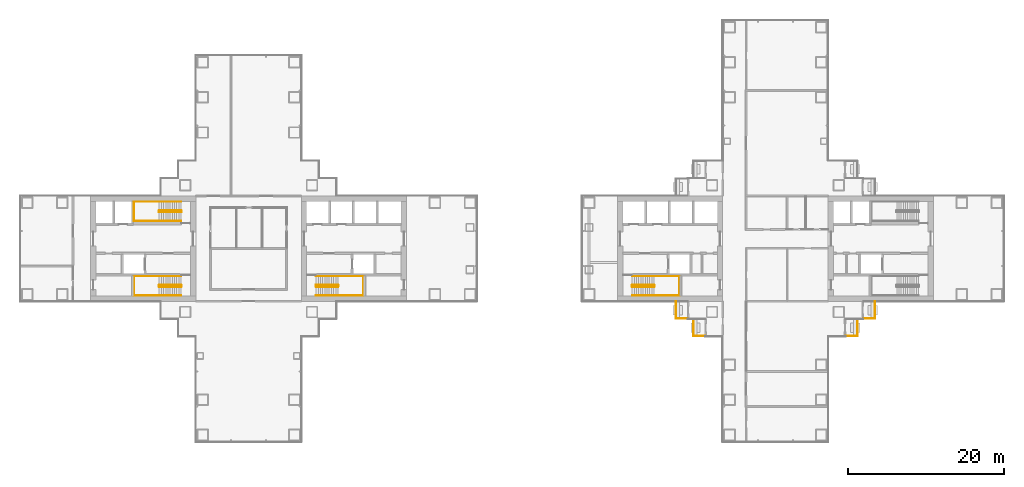
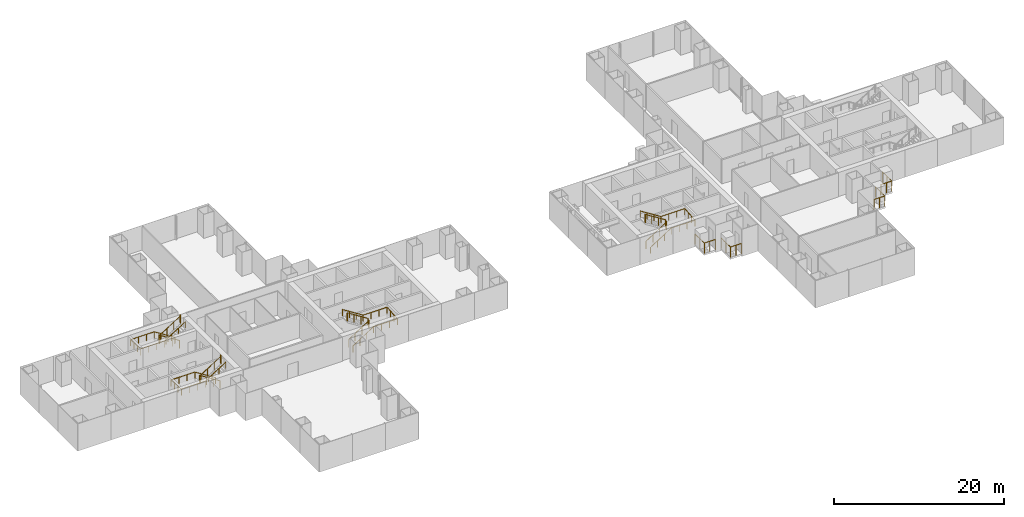
# One storey, part 20 of 22: 12 railings.
"""IFC4 building model written with IfcOpenShell, lengths in metres."""

import ifcopenshell
import ifcopenshell.guid

model = None  # the IFC model being written
_history = None  # IfcOwnerHistory: only IFC2X3 demands one
_inside = {}  # id of a spatial element -> (the spatial element, [elements in it])
_under = {}  # id of a project, library or spatial element -> (it, [spatial elements below it])
_declared = {}  # id of a project -> (the project, [libraries it declares])
_typed = {}  # id of a type object -> (the type object, [elements of that type])
_made_of = {}  # id of a material, layer set ... -> (it, [elements and type objects made of it])


def new_model(schema):
    """Start an empty IFC model of exactly this schema.

    Asked for "IFC4X3", IfcOpenShell would pick the latest addendum, in which some entities
    have other attributes; the version numbers below select the first issue.
    IFC2X3 requires an IfcOwnerHistory on every rooted entity: one is made here for all.
    """
    global model, _history
    if schema == "IFC4X3":
        model = ifcopenshell.file(schema_version=(4, 3, 0, 0))
    else:
        model = ifcopenshell.file(schema=schema)
    _inside.clear()
    _under.clear()
    _declared.clear()
    _typed.clear()
    _made_of.clear()
    _history = None
    if model.schema == "IFC2X3":
        org = make("IfcOrganization", Name="unknown")
        user = make(
            "IfcPersonAndOrganization",
            ThePerson=make("IfcPerson", FamilyName="unknown"),
            TheOrganization=org,
        )
        app = make(
            "IfcApplication",
            ApplicationDeveloper=org,
            Version="unknown",
            ApplicationFullName="unknown",
            ApplicationIdentifier="unknown",
        )
        _history = make(
            "IfcOwnerHistory",
            OwningUser=user,
            OwningApplication=app,
            ChangeAction="ADDED",
            CreationDate=0,
        )
    return model


def make(cls, **values):
    """One entity of the class cls with the attributes given. An attribute that is None is left unset."""
    return model.create_entity(
        cls, **{name: value for name, value in values.items() if value is not None}
    )


def rooted(cls, **values):
    """An entity with a GlobalId (a new one), such as an element, a storey or a relation."""
    return make(cls, GlobalId=ifcopenshell.guid.new(), OwnerHistory=_history, **values)


def si_unit(unit_type, name, prefix=None):
    """IfcSIUnit, for example si_unit("LENGTHUNIT", "METRE", prefix="MILLI")."""
    return make("IfcSIUnit", UnitType=unit_type, Prefix=prefix, Name=name)


def assignment(units):
    """IfcUnitAssignment: the units of a project."""
    return None if units is None else make("IfcUnitAssignment", Units=units)


def point(xyz):
    """IfcCartesianPoint."""
    return None if xyz is None else make("IfcCartesianPoint", Coordinates=xyz)


def direction(xyz):
    """IfcDirection."""
    return None if xyz is None else make("IfcDirection", DirectionRatios=xyz)


def frame(location, z_axis=None, x_axis=None):
    """IfcAxis2Placement3D, a coordinate frame: its origin and axes. An axis left out is left unset."""
    return make(
        "IfcAxis2Placement3D",
        Location=point(location),
        Axis=direction(z_axis),
        RefDirection=direction(x_axis),
    )


def frame_2d(location, x_axis=None):
    """IfcAxis2Placement2D, a coordinate frame in the plane: its origin and x axis."""
    return make(
        "IfcAxis2Placement2D", Location=point(location), RefDirection=direction(x_axis)
    )


def origin():
    """The frame at (0, 0, 0) with its axes left unset."""
    return frame((0.0, 0.0, 0.0))


def origin_2d():
    """The frame at (0, 0) in the plane with its x axis left unset."""
    return frame_2d((0.0, 0.0))


def place(relative_to, where):
    """IfcLocalPlacement: puts the frame where relative to a parent placement (None: the world)."""
    return make(
        "IfcLocalPlacement", PlacementRelTo=relative_to, RelativePlacement=where
    )


def context(
    kind, dimensions, precision=None, world=None, true_north=None, identifier=None
):
    """IfcGeometricRepresentationContext, for example the 3D "Model" context."""
    return make(
        "IfcGeometricRepresentationContext",
        ContextIdentifier=identifier,
        ContextType=kind,
        CoordinateSpaceDimension=dimensions,
        Precision=precision,
        WorldCoordinateSystem=world,
        TrueNorth=true_north,
    )


def subcontext(parent, identifier, kind, view, scale=None):
    """IfcGeometricRepresentationSubContext, for example "Body" below "Model"."""
    return make(
        "IfcGeometricRepresentationSubContext",
        ContextIdentifier=identifier,
        ContextType=kind,
        ParentContext=parent,
        TargetScale=scale,
        TargetView=view,
    )


def project(units=None, contexts=None):
    """IfcProject with its units and contexts."""
    return rooted(
        "IfcProject",
        Name="project",
        RepresentationContexts=contexts,
        UnitsInContext=assignment(units),
    )


def spatial(cls, under=None, at=None, **own):
    """A site, building, storey or space (cls), placed at a placement, below another one or the project."""
    s = rooted(cls, ObjectPlacement=at, **own)
    if under is not None:
        _under.setdefault(under.id(), (under, []))[1].append(s)
    return s


def profile(cls, at=None, kind="AREA", **sizes):
    """A parametric profile (cls). Its sizes go by their IFC names, for example OverallWidth=200.0."""
    return make(cls, ProfileType=kind, Position=at, **sizes)


def circle(**sizes):
    """IfcCircleProfileDef."""
    return profile("IfcCircleProfileDef", **sizes)


def extrude(swept, where, along, depth):
    """IfcExtrudedAreaSolid: the profile swept, set in the frame where, extruded along a direction by depth."""
    return make(
        "IfcExtrudedAreaSolid",
        SweptArea=swept,
        Position=where,
        ExtrudedDirection=direction(along),
        Depth=depth,
    )


def shape(context_of_items, identifier, shape_type, items):
    """IfcShapeRepresentation: the items that make up one representation, for example the "Body"."""
    return make(
        "IfcShapeRepresentation",
        ContextOfItems=context_of_items,
        RepresentationIdentifier=identifier,
        RepresentationType=shape_type,
        Items=items,
    )


def material(Name=None, Category=None):
    """IfcMaterial."""
    return make("IfcMaterial", Name=Name, Category=Category)


def made_of(thing, what):
    """Note that an element or type object is made of a material, layer set ...; save() writes the relation."""
    if what is not None:
        _made_of.setdefault(what.id(), (what, []))[1].append(thing)
    return thing


def type_object(cls, material=None, **own):
    """A type object (cls), such as IfcWallType, which elements share."""
    return made_of(rooted(cls, **own), material)


def element(
    cls,
    number,
    at=None,
    inside=None,
    cuts=None,
    type_object=None,
    material=None,
    context=None,
    identifier="Body",
    shape_type=None,
    held_by="IfcProductDefinitionShape",
    body=None,
    shapes=None,
    **own,
):
    """One element of the class cls, such as IfcWall. Its Tag is "e" and its number.

    at: its placement. inside: the storey or other place that contains it. cuts: it is an
    opening in that element (IfcRelVoidsElement). A single representation is given by context,
    identifier, shape_type and body (its items); several are given by shapes. held_by: the class
    of the entity that holds the representations. save() writes the other relations.
    """
    e = rooted(cls, Tag="e%d" % number, ObjectPlacement=at, **own)
    if body is not None:
        shapes = [shape(context, identifier, shape_type, body)]
    if shapes is not None:
        e.Representation = make(held_by, Representations=shapes)
    if inside is not None:
        _inside.setdefault(inside.id(), (inside, []))[1].append(e)
    if cuts is not None:
        rooted(
            "IfcRelVoidsElement", RelatingBuildingElement=cuts, RelatedOpeningElement=e
        )
    if type_object is not None:
        _typed.setdefault(type_object.id(), (type_object, []))[1].append(e)
    return made_of(e, material)


def aggregate(whole, parts):
    """IfcRelAggregates: a whole, such as a stair, and the parts it consists of."""
    return rooted("IfcRelAggregates", RelatingObject=whole, RelatedObjects=parts)


def save(model, path):
    """Write the relations noted so far, then the file.

    IfcRelAggregates (storeys below a building ...), IfcRelContainedInSpatialStructure (elements
    in a storey), IfcRelDefinesByType, IfcRelAssociatesMaterial and IfcRelDeclares: one each for
    every whole, place, type object, material and project.
    """
    for whole, parts in _under.values():
        aggregate(whole, parts)
    for where, things in _inside.values():
        rooted(
            "IfcRelContainedInSpatialStructure",
            RelatedElements=things,
            RelatingStructure=where,
        )
    for kind, things in _typed.values():
        rooted("IfcRelDefinesByType", RelatedObjects=things, RelatingType=kind)
    for what, things in _made_of.values():
        rooted("IfcRelAssociatesMaterial", RelatedObjects=things, RelatingMaterial=what)
    for by, libraries in _declared.values():
        rooted("IfcRelDeclares", RelatingContext=by, RelatedDefinitions=libraries)
    model.write(path)


model = new_model("IFC4")

# Units and contexts
model_context = context("Model", 3, precision=1e-05, world=origin(), true_north=direction((0.0, 1.0)))
body_context = subcontext(model_context, "Body", "Model", "MODEL_VIEW")
ifc_project = project(units=[si_unit("LENGTHUNIT", "METRE"), si_unit("AREAUNIT", "SQUARE_METRE"), si_unit("VOLUMEUNIT", "CUBIC_METRE"), si_unit("PLANEANGLEUNIT", "RADIAN"), si_unit("MASSUNIT", "GRAM", prefix="KILO")], contexts=[model_context])

# Site, building, storey
site_placement = place(None, origin())
site = spatial("IfcSite", under=ifc_project, at=site_placement, CompositionType="ELEMENT")
building_placement = place(site_placement, origin())
building = spatial("IfcBuilding", under=site, at=building_placement, Name="Shamsa Quay Exchange Towers", CompositionType="ELEMENT")
storey_placement = place(building_placement, frame((0.0, 0.0, 73.199951171875)))
storey = spatial("IfcBuildingStorey", under=building, at=storey_placement, Name="L16", CompositionType="ELEMENT", Elevation=73.199951171875)

# Railings
ifc_material_1 = material(Name="Steel S355, black powder-coated", Category="steel")
railing_type_1 = type_object("IfcRailingType", Name="BALCONY GUARD 1500", PredefinedType="GUARDRAIL", material=ifc_material_1)
for number, where, name in (
    (1, (21.0, -6.7880859375, 0.0), "Balcony guard T2-PKWN L16"),
    (2, (23.25, -9.0380859375, 0.0), "Balcony guard T2-PKWN L16"),
):
    element("IfcRailing", number, at=place(storey_placement, frame(where)), inside=storey, type_object=railing_type_1, Name=name, PredefinedType="GUARDRAIL", context=body_context, shape_type="SweptSolid", body=[
        extrude(circle(Radius=0.02392578125, at=origin_2d()), frame((0.0, 0.0, 1.47607421875), z_axis=(0.0, -1.0, 0.0), x_axis=(1.0, 0.0, 0.0)), (0.0, 0.0, 1.0), 2.161865234375),
        extrude(circle(Radius=0.02392578125, at=origin_2d()), frame((0.0, -2.161865234375, 1.47607421875), z_axis=(1.0, 0.0, 0.0), x_axis=(0.0, 1.0, 0.0)), (0.0, 0.0, 1.0), 1.47900390625),
        extrude(circle(Radius=0.02099609375, at=origin_2d()), origin(), (0.0, 0.0, 1.0), 1.451904296875),
        extrude(circle(Radius=0.02099609375, at=origin_2d()), frame((0.0, -1.0810546875, 0.0)), (0.0, 0.0, 1.0), 1.451904296875),
        extrude(circle(Radius=0.02099609375, at=origin_2d()), frame((0.0, -2.161865234375, 0.0)), (0.0, 0.0, 1.0), 1.451904296875),
        extrude(circle(Radius=0.02099609375, at=origin_2d()), frame((0.739501953125, -2.161865234375, 0.0)), (0.0, 0.0, 1.0), 1.451904296875),
        extrude(circle(Radius=0.02099609375, at=origin_2d()), frame((1.47900390625, -2.161865234375, 0.0)), (0.0, 0.0, 1.0), 1.451904296875),
    ])
for number, where, name in (
    (3, (42.77099609375, -11.199951171875, 0.0), "Balcony guard T2-PKWS L16"),
    (4, (45.02099609375, -8.949951171875, 0.0), "Balcony guard T2-PKWS L16"),
):
    element("IfcRailing", number, at=place(storey_placement, frame(where)), inside=storey, type_object=railing_type_1, Name=name, PredefinedType="GUARDRAIL", context=body_context, shape_type="SweptSolid", body=[
        extrude(circle(Radius=0.02392578125, at=origin_2d()), frame((0.0, 0.0, 1.47607421875), z_axis=(1.0, 0.0, 0.0), x_axis=(0.0, 1.0, 0.0)), (0.0, 0.0, 1.0), 1.47900390625),
        extrude(circle(Radius=0.02392578125, at=origin_2d()), frame((1.47900390625, 0.0, 1.47607421875), z_axis=(0.0, 1.0, 0.0), x_axis=(-1.0, 0.0, 0.0)), (0.0, 0.0, 1.0), 2.161865234375),
        extrude(circle(Radius=0.02099609375, at=origin_2d()), origin(), (0.0, 0.0, 1.0), 1.451904296875),
        extrude(circle(Radius=0.02099609375, at=origin_2d()), frame((0.739501953125, 0.0, 0.0)), (0.0, 0.0, 1.0), 1.451904296875),
        extrude(circle(Radius=0.02099609375, at=origin_2d()), frame((1.47900390625, 0.0, 0.0)), (0.0, 0.0, 1.0), 1.451904296875),
        extrude(circle(Radius=0.02099609375, at=origin_2d()), frame((1.47900390625, 1.0810546875, 0.0)), (0.0, 0.0, 1.0), 1.451904296875),
        extrude(circle(Radius=0.02099609375, at=origin_2d()), frame((1.47900390625, 2.161865234375, 0.0)), (0.0, 0.0, 1.0), 1.451904296875),
    ])
ifc_material_2 = material(Name="Stainless steel", Category="steel")
railing_type_2 = type_object("IfcRailingType", Name="STAIR GUARD 1100", PredefinedType="GUARDRAIL", material=ifc_material_2)
railing_1_placement = place(storey_placement, frame((-25.10009765625, -4.89990234375, 0.17724609375)))
element("IfcRailing", 5, at=railing_1_placement, inside=storey, type_object=railing_type_2, Name="L16 ST1 stair guard 1", PredefinedType="GUARDRAIL", context=body_context, shape_type="SweptSolid", body=[
    extrude(circle(Radius=0.02392578125, at=origin_2d()), frame((0.0, 0.0, 1.076171875), z_axis=(0.844908973607, 0.0, 0.534910110503), x_axis=(0.0, 1.0, 0.0)), (0.0, 0.0, 1.0), 3.31396484375),
    extrude(circle(Radius=0.02392578125, at=origin_2d()), frame((2.800048828125, 0.0, 2.8486328125), z_axis=(0.708833529934, 0.705375805398, 0.0), x_axis=(-0.705375805398, 0.708833529934, 0.0)), (0.0, 0.0, 1.0), 0.070556640625),
    extrude(circle(Radius=0.02392578125, at=origin_2d()), frame((2.85009765625, 0.0498046875, 2.8486328125), z_axis=(0.0, 1.0, 0.0), x_axis=(-1.0, 0.0, 0.0)), (0.0, 0.0, 1.0), 0.150146484375),
    extrude(circle(Radius=0.02392578125, at=origin_2d()), frame((2.85009765625, 0.199951171875, 2.8486328125), z_axis=(-0.261922500866, 0.261922500866, 0.928866625022), x_axis=(-0.707106781187, -0.707106781187, 0.0)), (0.0, 0.0, 1.0), 0.191162109375),
    extrude(circle(Radius=0.02392578125, at=origin_2d()), frame((2.800048828125, 0.25, 3.0263671875), z_axis=(-0.844908973607, 0.0, 0.534910110503), x_axis=(0.0, -1.0, 0.0)), (0.0, 0.0, 1.0), 3.31396484375),
    extrude(circle(Radius=0.02392578125, at=origin_2d()), frame((0.0, 0.25, 4.798828125), z_axis=(-0.24142163986, -0.970420317083, 0.0), x_axis=(0.970420317083, -0.24142163986, 0.0)), (0.0, 0.0, 1.0), 0.206298828125),
    extrude(circle(Radius=0.02392578125, at=origin_2d()), frame((-0.0498046875, 0.0498046875, 4.798828125), z_axis=(0.0, 1.0, 0.0), x_axis=(-1.0, 0.0, 0.0)), (0.0, 0.0, 1.0), 0.150146484375),
    extrude(circle(Radius=0.02099609375, at=origin_2d()), origin(), (0.0, 0.0, 1.0), 1.052001953125),
    extrude(circle(Radius=0.02099609375, at=origin_2d()), frame((0.933349609375, 0.0, 0.5908203125)), (0.0, 0.0, 1.0), 1.052001953125),
    extrude(circle(Radius=0.02099609375, at=origin_2d()), frame((1.86669921875, 0.0, 1.181884765625)), (0.0, 0.0, 1.0), 1.052001953125),
    extrude(circle(Radius=0.02099609375, at=origin_2d()), frame((2.800048828125, 0.0, 1.772705078125)), (0.0, 0.0, 1.0), 1.052001953125),
    extrude(circle(Radius=0.02099609375, at=origin_2d()), frame((2.85009765625, 0.0498046875, 1.772705078125)), (0.0, 0.0, 1.0), 1.052001953125),
    extrude(circle(Radius=0.02099609375, at=origin_2d()), frame((2.85009765625, 0.199951171875, 1.772705078125)), (0.0, 0.0, 1.0), 1.052001953125),
    extrude(circle(Radius=0.02099609375, at=origin_2d()), frame((2.800048828125, 0.25, 1.9501953125)), (0.0, 0.0, 1.0), 1.052001953125),
    extrude(circle(Radius=0.02099609375, at=origin_2d()), frame((1.86669921875, 0.25, 2.541015625)), (0.0, 0.0, 1.0), 1.052001953125),
    extrude(circle(Radius=0.02099609375, at=origin_2d()), frame((0.933349609375, 0.25, 3.132080078125)), (0.0, 0.0, 1.0), 1.052001953125),
    extrude(circle(Radius=0.02099609375, at=origin_2d()), frame((0.0, 0.25, 3.722900390625)), (0.0, 0.0, 1.0), 1.052001953125),
    extrude(circle(Radius=0.02099609375, at=origin_2d()), frame((-0.0498046875, 0.0498046875, 3.722900390625)), (0.0, 0.0, 1.0), 1.052001953125),
    extrude(circle(Radius=0.02099609375, at=origin_2d()), frame((-0.0498046875, 0.199951171875, 3.722900390625)), (0.0, 0.0, 1.0), 1.052001953125),
])
railing_2_placement = place(storey_placement, frame((-42.39990234375, -4.64990234375, 0.17724609375)))
element("IfcRailing", 6, at=railing_2_placement, inside=storey, type_object=railing_type_2, Name="L16 ST2 stair guard 1", PredefinedType="GUARDRAIL", context=body_context, shape_type="SweptSolid", body=[
    extrude(circle(Radius=0.02392578125, at=origin_2d()), frame((0.0, 0.0, 1.076171875), z_axis=(-0.844908973607, 0.0, 0.534910110503), x_axis=(0.0, -1.0, 0.0)), (0.0, 0.0, 1.0), 3.31396484375),
    extrude(circle(Radius=0.02392578125, at=origin_2d()), frame((-2.800048828125, 0.0, 2.8486328125), z_axis=(-0.707106781187, -0.707106781187, 0.0), x_axis=(0.707106781187, -0.707106781187, 0.0)), (0.0, 0.0, 1.0), 0.07080078125),
    extrude(circle(Radius=0.02392578125, at=origin_2d()), frame((-2.85009765625, -0.050048828125, 2.8486328125), z_axis=(0.0, -1.0, 0.0), x_axis=(1.0, 0.0, 0.0)), (0.0, 0.0, 1.0), 0.150146484375),
    extrude(circle(Radius=0.02392578125, at=origin_2d()), frame((-2.85009765625, -0.2001953125, 2.8486328125), z_axis=(0.262009983441, -0.260731885961, 0.929176868105), x_axis=(0.705375805398, 0.708833529934, 0.0)), (0.0, 0.0, 1.0), 0.19091796875),
    extrude(circle(Radius=0.02392578125, at=origin_2d()), frame((-2.800048828125, -0.25, 3.0263671875), z_axis=(0.844908973607, 0.0, 0.534910110503), x_axis=(0.0, 1.0, 0.0)), (0.0, 0.0, 1.0), 3.31396484375),
    extrude(circle(Radius=0.02392578125, at=origin_2d()), frame((0.0, -0.25, 4.798828125), z_axis=(0.241699205484, 0.970351222016, 0.0), x_axis=(-0.970351222016, 0.241699205484, 0.0)), (0.0, 0.0, 1.0), 0.2060546875),
    extrude(circle(Radius=0.02392578125, at=origin_2d()), frame((0.0498046875, -0.050048828125, 4.798828125), z_axis=(0.0, -1.0, 0.0), x_axis=(1.0, 0.0, 0.0)), (0.0, 0.0, 1.0), 0.150146484375),
    extrude(circle(Radius=0.02099609375, at=origin_2d()), origin(), (0.0, 0.0, 1.0), 1.052001953125),
    extrude(circle(Radius=0.02099609375, at=origin_2d()), frame((-0.933349609375, 0.0, 0.5908203125)), (0.0, 0.0, 1.0), 1.052001953125),
    extrude(circle(Radius=0.02099609375, at=origin_2d()), frame((-1.86669921875, 0.0, 1.181884765625)), (0.0, 0.0, 1.0), 1.052001953125),
    extrude(circle(Radius=0.02099609375, at=origin_2d()), frame((-2.800048828125, 0.0, 1.772705078125)), (0.0, 0.0, 1.0), 1.052001953125),
    extrude(circle(Radius=0.02099609375, at=origin_2d()), frame((-2.85009765625, -0.050048828125, 1.772705078125)), (0.0, 0.0, 1.0), 1.052001953125),
    extrude(circle(Radius=0.02099609375, at=origin_2d()), frame((-2.85009765625, -0.2001953125, 1.772705078125)), (0.0, 0.0, 1.0), 1.052001953125),
    extrude(circle(Radius=0.02099609375, at=origin_2d()), frame((-2.800048828125, -0.25, 1.9501953125)), (0.0, 0.0, 1.0), 1.052001953125),
    extrude(circle(Radius=0.02099609375, at=origin_2d()), frame((-1.86669921875, -0.25, 2.541015625)), (0.0, 0.0, 1.0), 1.052001953125),
    extrude(circle(Radius=0.02099609375, at=origin_2d()), frame((-0.933349609375, -0.25, 3.132080078125)), (0.0, 0.0, 1.0), 1.052001953125),
    extrude(circle(Radius=0.02099609375, at=origin_2d()), frame((0.0, -0.25, 3.722900390625)), (0.0, 0.0, 1.0), 1.052001953125),
    extrude(circle(Radius=0.02099609375, at=origin_2d()), frame((0.0498046875, -0.050048828125, 3.722900390625)), (0.0, 0.0, 1.0), 1.052001953125),
    extrude(circle(Radius=0.02099609375, at=origin_2d()), frame((0.0498046875, -0.2001953125, 3.722900390625)), (0.0, 0.0, 1.0), 1.052001953125),
])
railing_3_placement = place(storey_placement, frame((-42.39990234375, 4.89990234375, 0.17724609375)))
element("IfcRailing", 7, at=railing_3_placement, inside=storey, type_object=railing_type_2, Name="L16 ST3 stair guard 1", PredefinedType="GUARDRAIL", context=body_context, shape_type="SweptSolid", body=[
    extrude(circle(Radius=0.02392578125, at=origin_2d()), frame((0.0, 0.0, 1.076171875), z_axis=(-0.844908973607, 0.0, 0.534910110503), x_axis=(0.0, -1.0, 0.0)), (0.0, 0.0, 1.0), 3.31396484375),
    extrude(circle(Radius=0.02392578125, at=origin_2d()), frame((-2.800048828125, 0.0, 2.8486328125), z_axis=(-0.708833529934, -0.705375805398, 0.0), x_axis=(0.705375805398, -0.708833529934, 0.0)), (0.0, 0.0, 1.0), 0.070556640625),
    extrude(circle(Radius=0.02392578125, at=origin_2d()), frame((-2.85009765625, -0.0498046875, 2.8486328125), z_axis=(0.0, -1.0, 0.0), x_axis=(1.0, 0.0, 0.0)), (0.0, 0.0, 1.0), 0.150146484375),
    extrude(circle(Radius=0.02392578125, at=origin_2d()), frame((-2.85009765625, -0.199951171875, 2.8486328125), z_axis=(0.261922500866, -0.261922500866, 0.928866625022), x_axis=(0.707106781187, 0.707106781187, 0.0)), (0.0, 0.0, 1.0), 0.191162109375),
    extrude(circle(Radius=0.02392578125, at=origin_2d()), frame((-2.800048828125, -0.25, 3.0263671875), z_axis=(0.844908973607, 0.0, 0.534910110503), x_axis=(0.0, 1.0, 0.0)), (0.0, 0.0, 1.0), 3.31396484375),
    extrude(circle(Radius=0.02392578125, at=origin_2d()), frame((0.0, -0.25, 4.798828125), z_axis=(0.24142163986, 0.970420317083, 0.0), x_axis=(-0.970420317083, 0.24142163986, 0.0)), (0.0, 0.0, 1.0), 0.206298828125),
    extrude(circle(Radius=0.02392578125, at=origin_2d()), frame((0.0498046875, -0.0498046875, 4.798828125), z_axis=(0.0, -1.0, 0.0), x_axis=(1.0, 0.0, 0.0)), (0.0, 0.0, 1.0), 0.150146484375),
    extrude(circle(Radius=0.02099609375, at=origin_2d()), origin(), (0.0, 0.0, 1.0), 1.052001953125),
    extrude(circle(Radius=0.02099609375, at=origin_2d()), frame((-0.933349609375, 0.0, 0.5908203125)), (0.0, 0.0, 1.0), 1.052001953125),
    extrude(circle(Radius=0.02099609375, at=origin_2d()), frame((-1.86669921875, 0.0, 1.181884765625)), (0.0, 0.0, 1.0), 1.052001953125),
    extrude(circle(Radius=0.02099609375, at=origin_2d()), frame((-2.800048828125, 0.0, 1.772705078125)), (0.0, 0.0, 1.0), 1.052001953125),
    extrude(circle(Radius=0.02099609375, at=origin_2d()), frame((-2.85009765625, -0.0498046875, 1.772705078125)), (0.0, 0.0, 1.0), 1.052001953125),
    extrude(circle(Radius=0.02099609375, at=origin_2d()), frame((-2.85009765625, -0.199951171875, 1.772705078125)), (0.0, 0.0, 1.0), 1.052001953125),
    extrude(circle(Radius=0.02099609375, at=origin_2d()), frame((-2.800048828125, -0.25, 1.9501953125)), (0.0, 0.0, 1.0), 1.052001953125),
    extrude(circle(Radius=0.02099609375, at=origin_2d()), frame((-1.86669921875, -0.25, 2.541015625)), (0.0, 0.0, 1.0), 1.052001953125),
    extrude(circle(Radius=0.02099609375, at=origin_2d()), frame((-0.933349609375, -0.25, 3.132080078125)), (0.0, 0.0, 1.0), 1.052001953125),
    extrude(circle(Radius=0.02099609375, at=origin_2d()), frame((0.0, -0.25, 3.722900390625)), (0.0, 0.0, 1.0), 1.052001953125),
    extrude(circle(Radius=0.02099609375, at=origin_2d()), frame((0.0498046875, -0.0498046875, 3.722900390625)), (0.0, 0.0, 1.0), 1.052001953125),
    extrude(circle(Radius=0.02099609375, at=origin_2d()), frame((0.0498046875, -0.199951171875, 3.722900390625)), (0.0, 0.0, 1.0), 1.052001953125),
])
railing_4_placement = place(storey_placement, frame((15.39990234375, -4.89990234375, 0.17724609375)))
element("IfcRailing", 8, at=railing_4_placement, inside=storey, type_object=railing_type_2, Name="L16 ST4 stair guard 1", PredefinedType="GUARDRAIL", context=body_context, shape_type="SweptSolid", body=[
    extrude(circle(Radius=0.02392578125, at=origin_2d()), frame((0.0, 0.0, 1.076171875), z_axis=(0.844908973607, 0.0, 0.534910110503), x_axis=(0.0, 1.0, 0.0)), (0.0, 0.0, 1.0), 3.31396484375),
    extrude(circle(Radius=0.02392578125, at=origin_2d()), frame((2.800048828125, 0.0, 2.8486328125), z_axis=(0.708833529934, 0.705375805398, 0.0), x_axis=(-0.705375805398, 0.708833529934, 0.0)), (0.0, 0.0, 1.0), 0.070556640625),
    extrude(circle(Radius=0.02392578125, at=origin_2d()), frame((2.85009765625, 0.0498046875, 2.8486328125), z_axis=(0.0, 1.0, 0.0), x_axis=(-1.0, 0.0, 0.0)), (0.0, 0.0, 1.0), 0.150146484375),
    extrude(circle(Radius=0.02392578125, at=origin_2d()), frame((2.85009765625, 0.199951171875, 2.8486328125), z_axis=(-0.261922500866, 0.261922500866, 0.928866625022), x_axis=(-0.707106781187, -0.707106781187, 0.0)), (0.0, 0.0, 1.0), 0.191162109375),
    extrude(circle(Radius=0.02392578125, at=origin_2d()), frame((2.800048828125, 0.25, 3.0263671875), z_axis=(-0.844908973607, 0.0, 0.534910110503), x_axis=(0.0, -1.0, 0.0)), (0.0, 0.0, 1.0), 3.31396484375),
    extrude(circle(Radius=0.02392578125, at=origin_2d()), frame((0.0, 0.25, 4.798828125), z_axis=(-0.24142163986, -0.970420317083, 0.0), x_axis=(0.970420317083, -0.24142163986, 0.0)), (0.0, 0.0, 1.0), 0.206298828125),
    extrude(circle(Radius=0.02392578125, at=origin_2d()), frame((-0.0498046875, 0.0498046875, 4.798828125), z_axis=(0.0, 1.0, 0.0), x_axis=(-1.0, 0.0, 0.0)), (0.0, 0.0, 1.0), 0.150146484375),
    extrude(circle(Radius=0.02099609375, at=origin_2d()), origin(), (0.0, 0.0, 1.0), 1.052001953125),
    extrude(circle(Radius=0.02099609375, at=origin_2d()), frame((0.933349609375, 0.0, 0.5908203125)), (0.0, 0.0, 1.0), 1.052001953125),
    extrude(circle(Radius=0.02099609375, at=origin_2d()), frame((1.86669921875, 0.0, 1.181884765625)), (0.0, 0.0, 1.0), 1.052001953125),
    extrude(circle(Radius=0.02099609375, at=origin_2d()), frame((2.800048828125, 0.0, 1.772705078125)), (0.0, 0.0, 1.0), 1.052001953125),
    extrude(circle(Radius=0.02099609375, at=origin_2d()), frame((2.85009765625, 0.0498046875, 1.772705078125)), (0.0, 0.0, 1.0), 1.052001953125),
    extrude(circle(Radius=0.02099609375, at=origin_2d()), frame((2.85009765625, 0.199951171875, 1.772705078125)), (0.0, 0.0, 1.0), 1.052001953125),
    extrude(circle(Radius=0.02099609375, at=origin_2d()), frame((2.800048828125, 0.25, 1.9501953125)), (0.0, 0.0, 1.0), 1.052001953125),
    extrude(circle(Radius=0.02099609375, at=origin_2d()), frame((1.86669921875, 0.25, 2.541015625)), (0.0, 0.0, 1.0), 1.052001953125),
    extrude(circle(Radius=0.02099609375, at=origin_2d()), frame((0.933349609375, 0.25, 3.132080078125)), (0.0, 0.0, 1.0), 1.052001953125),
    extrude(circle(Radius=0.02099609375, at=origin_2d()), frame((0.0, 0.25, 3.722900390625)), (0.0, 0.0, 1.0), 1.052001953125),
    extrude(circle(Radius=0.02099609375, at=origin_2d()), frame((-0.0498046875, 0.0498046875, 3.722900390625)), (0.0, 0.0, 1.0), 1.052001953125),
    extrude(circle(Radius=0.02099609375, at=origin_2d()), frame((-0.0498046875, 0.199951171875, 3.722900390625)), (0.0, 0.0, 1.0), 1.052001953125),
])
railing_type_3 = type_object("IfcRailingType", Name="STAIR HANDRAIL 900", PredefinedType="HANDRAIL", material=ifc_material_2)
railing_5_placement = place(storey_placement, frame((-25.10009765625, -6.0, 0.17724609375)))
element("IfcRailing", 9, at=railing_5_placement, inside=storey, type_object=railing_type_3, Name="L16 ST1 stair handrail 1", PredefinedType="HANDRAIL", context=body_context, shape_type="SweptSolid", body=[
    extrude(circle(Radius=0.02392578125, at=origin_2d()), frame((0.0, 0.0, 0.8759765625), z_axis=(0.844908973607, 0.0, 0.534910110503), x_axis=(0.0, 1.0, 0.0)), (0.0, 0.0, 1.0), 3.31396484375),
    extrude(circle(Radius=0.02392578125, at=origin_2d()), frame((2.800048828125, 0.0, 2.6484375), z_axis=(1.0, 0.0, 0.0), x_axis=(0.0, 1.0, 0.0)), (0.0, 0.0, 1.0), 3.25),
    extrude(circle(Radius=0.02392578125, at=origin_2d()), frame((6.050048828125, 0.0, 2.6484375), z_axis=(0.0, 0.997386041853, 0.072257065513), x_axis=(-1.0, 0.0, 0.0)), (0.0, 0.0, 1.0), 2.456298828125),
    extrude(circle(Radius=0.02392578125, at=origin_2d()), frame((6.050048828125, 2.449951171875, 2.826171875), z_axis=(-1.0, 0.0, 0.0), x_axis=(0.0, -1.0, 0.0)), (0.0, 0.0, 1.0), 3.25),
    extrude(circle(Radius=0.02392578125, at=origin_2d()), frame((2.800048828125, 2.449951171875, 2.826171875), z_axis=(-0.844908973607, 0.0, 0.534910110503), x_axis=(0.0, -1.0, 0.0)), (0.0, 0.0, 1.0), 3.31396484375),
    extrude(circle(Radius=0.02099609375, at=origin_2d()), origin(), (0.0, 0.0, 1.0), 0.851806640625),
    extrude(circle(Radius=0.02099609375, at=origin_2d()), frame((0.933349609375, 0.0, 0.5908203125)), (0.0, 0.0, 1.0), 0.851806640625),
    extrude(circle(Radius=0.02099609375, at=origin_2d()), frame((1.86669921875, 0.0, 1.181884765625)), (0.0, 0.0, 1.0), 0.851806640625),
    extrude(circle(Radius=0.02099609375, at=origin_2d()), frame((2.800048828125, 0.0, 1.772705078125)), (0.0, 0.0, 1.0), 0.851806640625),
    extrude(circle(Radius=0.02099609375, at=origin_2d()), frame((3.88330078125, 0.0, 1.772705078125)), (0.0, 0.0, 1.0), 0.851806640625),
    extrude(circle(Radius=0.02099609375, at=origin_2d()), frame((4.966796875, 0.0, 1.772705078125)), (0.0, 0.0, 1.0), 0.851806640625),
    extrude(circle(Radius=0.02099609375, at=origin_2d()), frame((6.050048828125, 0.0, 1.772705078125)), (0.0, 0.0, 1.0), 0.851806640625),
    extrude(circle(Radius=0.02099609375, at=origin_2d()), frame((6.050048828125, 0.816650390625, 1.831787109375)), (0.0, 0.0, 1.0), 0.851806640625),
    extrude(circle(Radius=0.02099609375, at=origin_2d()), frame((6.050048828125, 1.63330078125, 1.89111328125)), (0.0, 0.0, 1.0), 0.851806640625),
    extrude(circle(Radius=0.02099609375, at=origin_2d()), frame((6.050048828125, 2.449951171875, 1.9501953125)), (0.0, 0.0, 1.0), 0.851806640625),
    extrude(circle(Radius=0.02099609375, at=origin_2d()), frame((4.966796875, 2.449951171875, 1.9501953125)), (0.0, 0.0, 1.0), 0.851806640625),
    extrude(circle(Radius=0.02099609375, at=origin_2d()), frame((3.88330078125, 2.449951171875, 1.9501953125)), (0.0, 0.0, 1.0), 0.851806640625),
    extrude(circle(Radius=0.02099609375, at=origin_2d()), frame((2.800048828125, 2.449951171875, 1.9501953125)), (0.0, 0.0, 1.0), 0.851806640625),
    extrude(circle(Radius=0.02099609375, at=origin_2d()), frame((1.86669921875, 2.449951171875, 2.541015625)), (0.0, 0.0, 1.0), 0.851806640625),
    extrude(circle(Radius=0.02099609375, at=origin_2d()), frame((0.933349609375, 2.449951171875, 3.132080078125)), (0.0, 0.0, 1.0), 0.851806640625),
    extrude(circle(Radius=0.02099609375, at=origin_2d()), frame((0.0, 2.449951171875, 3.722900390625)), (0.0, 0.0, 1.0), 0.851806640625),
])
railing_6_placement = place(storey_placement, frame((-42.39990234375, -3.550048828125, 0.17724609375)))
element("IfcRailing", 10, at=railing_6_placement, inside=storey, type_object=railing_type_3, Name="L16 ST2 stair handrail 1", PredefinedType="HANDRAIL", context=body_context, shape_type="SweptSolid", body=[
    extrude(circle(Radius=0.02392578125, at=origin_2d()), frame((0.0, 0.0, 0.8759765625), z_axis=(-0.844908973607, 0.0, 0.534910110503), x_axis=(0.0, -1.0, 0.0)), (0.0, 0.0, 1.0), 3.31396484375),
    extrude(circle(Radius=0.02392578125, at=origin_2d()), frame((-2.800048828125, 0.0, 2.6484375), z_axis=(-1.0, 0.0, 0.0), x_axis=(0.0, -1.0, 0.0)), (0.0, 0.0, 1.0), 3.25),
    extrude(circle(Radius=0.02392578125, at=origin_2d()), frame((-6.050048828125, 0.0, 2.6484375), z_axis=(0.0, -0.997386041853, 0.072257065513), x_axis=(1.0, 0.0, 0.0)), (0.0, 0.0, 1.0), 2.456298828125),
    extrude(circle(Radius=0.02392578125, at=origin_2d()), frame((-6.050048828125, -2.449951171875, 2.826171875), z_axis=(1.0, 0.0, 0.0), x_axis=(0.0, 1.0, 0.0)), (0.0, 0.0, 1.0), 3.25),
    extrude(circle(Radius=0.02392578125, at=origin_2d()), frame((-2.800048828125, -2.449951171875, 2.826171875), z_axis=(0.844908973607, 0.0, 0.534910110503), x_axis=(0.0, 1.0, 0.0)), (0.0, 0.0, 1.0), 3.31396484375),
    extrude(circle(Radius=0.02099609375, at=origin_2d()), origin(), (0.0, 0.0, 1.0), 0.851806640625),
    extrude(circle(Radius=0.02099609375, at=origin_2d()), frame((-0.933349609375, 0.0, 0.5908203125)), (0.0, 0.0, 1.0), 0.851806640625),
    extrude(circle(Radius=0.02099609375, at=origin_2d()), frame((-1.86669921875, 0.0, 1.181884765625)), (0.0, 0.0, 1.0), 0.851806640625),
    extrude(circle(Radius=0.02099609375, at=origin_2d()), frame((-2.800048828125, 0.0, 1.772705078125)), (0.0, 0.0, 1.0), 0.851806640625),
    extrude(circle(Radius=0.02099609375, at=origin_2d()), frame((-3.88330078125, 0.0, 1.772705078125)), (0.0, 0.0, 1.0), 0.851806640625),
    extrude(circle(Radius=0.02099609375, at=origin_2d()), frame((-4.966796875, 0.0, 1.772705078125)), (0.0, 0.0, 1.0), 0.851806640625),
    extrude(circle(Radius=0.02099609375, at=origin_2d()), frame((-6.050048828125, 0.0, 1.772705078125)), (0.0, 0.0, 1.0), 0.851806640625),
    extrude(circle(Radius=0.02099609375, at=origin_2d()), frame((-6.050048828125, -0.816650390625, 1.831787109375)), (0.0, 0.0, 1.0), 0.851806640625),
    extrude(circle(Radius=0.02099609375, at=origin_2d()), frame((-6.050048828125, -1.63330078125, 1.89111328125)), (0.0, 0.0, 1.0), 0.851806640625),
    extrude(circle(Radius=0.02099609375, at=origin_2d()), frame((-6.050048828125, -2.449951171875, 1.9501953125)), (0.0, 0.0, 1.0), 0.851806640625),
    extrude(circle(Radius=0.02099609375, at=origin_2d()), frame((-4.966796875, -2.449951171875, 1.9501953125)), (0.0, 0.0, 1.0), 0.851806640625),
    extrude(circle(Radius=0.02099609375, at=origin_2d()), frame((-3.88330078125, -2.449951171875, 1.9501953125)), (0.0, 0.0, 1.0), 0.851806640625),
    extrude(circle(Radius=0.02099609375, at=origin_2d()), frame((-2.800048828125, -2.449951171875, 1.9501953125)), (0.0, 0.0, 1.0), 0.851806640625),
    extrude(circle(Radius=0.02099609375, at=origin_2d()), frame((-1.86669921875, -2.449951171875, 2.541015625)), (0.0, 0.0, 1.0), 0.851806640625),
    extrude(circle(Radius=0.02099609375, at=origin_2d()), frame((-0.933349609375, -2.449951171875, 3.132080078125)), (0.0, 0.0, 1.0), 0.851806640625),
    extrude(circle(Radius=0.02099609375, at=origin_2d()), frame((0.0, -2.449951171875, 3.722900390625)), (0.0, 0.0, 1.0), 0.851806640625),
])
railing_7_placement = place(storey_placement, frame((-42.39990234375, 6.0, 0.17724609375)))
element("IfcRailing", 11, at=railing_7_placement, inside=storey, type_object=railing_type_3, Name="L16 ST3 stair handrail 1", PredefinedType="HANDRAIL", context=body_context, shape_type="SweptSolid", body=[
    extrude(circle(Radius=0.02392578125, at=origin_2d()), frame((0.0, 0.0, 0.8759765625), z_axis=(-0.844908973607, 0.0, 0.534910110503), x_axis=(0.0, -1.0, 0.0)), (0.0, 0.0, 1.0), 3.31396484375),
    extrude(circle(Radius=0.02392578125, at=origin_2d()), frame((-2.800048828125, 0.0, 2.6484375), z_axis=(-1.0, 0.0, 0.0), x_axis=(0.0, -1.0, 0.0)), (0.0, 0.0, 1.0), 3.25),
    extrude(circle(Radius=0.02392578125, at=origin_2d()), frame((-6.050048828125, 0.0, 2.6484375), z_axis=(0.0, -0.997386041853, 0.072257065513), x_axis=(1.0, 0.0, 0.0)), (0.0, 0.0, 1.0), 2.456298828125),
    extrude(circle(Radius=0.02392578125, at=origin_2d()), frame((-6.050048828125, -2.449951171875, 2.826171875), z_axis=(1.0, 0.0, 0.0), x_axis=(0.0, 1.0, 0.0)), (0.0, 0.0, 1.0), 3.25),
    extrude(circle(Radius=0.02392578125, at=origin_2d()), frame((-2.800048828125, -2.449951171875, 2.826171875), z_axis=(0.844908973607, 0.0, 0.534910110503), x_axis=(0.0, 1.0, 0.0)), (0.0, 0.0, 1.0), 3.31396484375),
    extrude(circle(Radius=0.02099609375, at=origin_2d()), origin(), (0.0, 0.0, 1.0), 0.851806640625),
    extrude(circle(Radius=0.02099609375, at=origin_2d()), frame((-0.933349609375, 0.0, 0.5908203125)), (0.0, 0.0, 1.0), 0.851806640625),
    extrude(circle(Radius=0.02099609375, at=origin_2d()), frame((-1.86669921875, 0.0, 1.181884765625)), (0.0, 0.0, 1.0), 0.851806640625),
    extrude(circle(Radius=0.02099609375, at=origin_2d()), frame((-2.800048828125, 0.0, 1.772705078125)), (0.0, 0.0, 1.0), 0.851806640625),
    extrude(circle(Radius=0.02099609375, at=origin_2d()), frame((-3.88330078125, 0.0, 1.772705078125)), (0.0, 0.0, 1.0), 0.851806640625),
    extrude(circle(Radius=0.02099609375, at=origin_2d()), frame((-4.966796875, 0.0, 1.772705078125)), (0.0, 0.0, 1.0), 0.851806640625),
    extrude(circle(Radius=0.02099609375, at=origin_2d()), frame((-6.050048828125, 0.0, 1.772705078125)), (0.0, 0.0, 1.0), 0.851806640625),
    extrude(circle(Radius=0.02099609375, at=origin_2d()), frame((-6.050048828125, -0.816650390625, 1.831787109375)), (0.0, 0.0, 1.0), 0.851806640625),
    extrude(circle(Radius=0.02099609375, at=origin_2d()), frame((-6.050048828125, -1.63330078125, 1.89111328125)), (0.0, 0.0, 1.0), 0.851806640625),
    extrude(circle(Radius=0.02099609375, at=origin_2d()), frame((-6.050048828125, -2.449951171875, 1.9501953125)), (0.0, 0.0, 1.0), 0.851806640625),
    extrude(circle(Radius=0.02099609375, at=origin_2d()), frame((-4.966796875, -2.449951171875, 1.9501953125)), (0.0, 0.0, 1.0), 0.851806640625),
    extrude(circle(Radius=0.02099609375, at=origin_2d()), frame((-3.88330078125, -2.449951171875, 1.9501953125)), (0.0, 0.0, 1.0), 0.851806640625),
    extrude(circle(Radius=0.02099609375, at=origin_2d()), frame((-2.800048828125, -2.449951171875, 1.9501953125)), (0.0, 0.0, 1.0), 0.851806640625),
    extrude(circle(Radius=0.02099609375, at=origin_2d()), frame((-1.86669921875, -2.449951171875, 2.541015625)), (0.0, 0.0, 1.0), 0.851806640625),
    extrude(circle(Radius=0.02099609375, at=origin_2d()), frame((-0.933349609375, -2.449951171875, 3.132080078125)), (0.0, 0.0, 1.0), 0.851806640625),
    extrude(circle(Radius=0.02099609375, at=origin_2d()), frame((0.0, -2.449951171875, 3.722900390625)), (0.0, 0.0, 1.0), 0.851806640625),
])
railing_8_placement = place(storey_placement, frame((15.39990234375, -6.0, 0.17724609375)))
element("IfcRailing", 12, at=railing_8_placement, inside=storey, type_object=railing_type_3, Name="L16 ST4 stair handrail 1", PredefinedType="HANDRAIL", context=body_context, shape_type="SweptSolid", body=[
    extrude(circle(Radius=0.02392578125, at=origin_2d()), frame((0.0, 0.0, 0.8759765625), z_axis=(0.844908973607, 0.0, 0.534910110503), x_axis=(0.0, 1.0, 0.0)), (0.0, 0.0, 1.0), 3.31396484375),
    extrude(circle(Radius=0.02392578125, at=origin_2d()), frame((2.800048828125, 0.0, 2.6484375), z_axis=(1.0, 0.0, 0.0), x_axis=(0.0, 1.0, 0.0)), (0.0, 0.0, 1.0), 3.25),
    extrude(circle(Radius=0.02392578125, at=origin_2d()), frame((6.050048828125, 0.0, 2.6484375), z_axis=(0.0, 0.997386041853, 0.072257065513), x_axis=(-1.0, 0.0, 0.0)), (0.0, 0.0, 1.0), 2.456298828125),
    extrude(circle(Radius=0.02392578125, at=origin_2d()), frame((6.050048828125, 2.449951171875, 2.826171875), z_axis=(-1.0, 0.0, 0.0), x_axis=(0.0, -1.0, 0.0)), (0.0, 0.0, 1.0), 3.25),
    extrude(circle(Radius=0.02392578125, at=origin_2d()), frame((2.800048828125, 2.449951171875, 2.826171875), z_axis=(-0.844908973607, 0.0, 0.534910110503), x_axis=(0.0, -1.0, 0.0)), (0.0, 0.0, 1.0), 3.31396484375),
    extrude(circle(Radius=0.02099609375, at=origin_2d()), origin(), (0.0, 0.0, 1.0), 0.851806640625),
    extrude(circle(Radius=0.02099609375, at=origin_2d()), frame((0.933349609375, 0.0, 0.5908203125)), (0.0, 0.0, 1.0), 0.851806640625),
    extrude(circle(Radius=0.02099609375, at=origin_2d()), frame((1.86669921875, 0.0, 1.181884765625)), (0.0, 0.0, 1.0), 0.851806640625),
    extrude(circle(Radius=0.02099609375, at=origin_2d()), frame((2.800048828125, 0.0, 1.772705078125)), (0.0, 0.0, 1.0), 0.851806640625),
    extrude(circle(Radius=0.02099609375, at=origin_2d()), frame((3.88330078125, 0.0, 1.772705078125)), (0.0, 0.0, 1.0), 0.851806640625),
    extrude(circle(Radius=0.02099609375, at=origin_2d()), frame((4.966796875, 0.0, 1.772705078125)), (0.0, 0.0, 1.0), 0.851806640625),
    extrude(circle(Radius=0.02099609375, at=origin_2d()), frame((6.050048828125, 0.0, 1.772705078125)), (0.0, 0.0, 1.0), 0.851806640625),
    extrude(circle(Radius=0.02099609375, at=origin_2d()), frame((6.050048828125, 0.816650390625, 1.831787109375)), (0.0, 0.0, 1.0), 0.851806640625),
    extrude(circle(Radius=0.02099609375, at=origin_2d()), frame((6.050048828125, 1.63330078125, 1.89111328125)), (0.0, 0.0, 1.0), 0.851806640625),
    extrude(circle(Radius=0.02099609375, at=origin_2d()), frame((6.050048828125, 2.449951171875, 1.9501953125)), (0.0, 0.0, 1.0), 0.851806640625),
    extrude(circle(Radius=0.02099609375, at=origin_2d()), frame((4.966796875, 2.449951171875, 1.9501953125)), (0.0, 0.0, 1.0), 0.851806640625),
    extrude(circle(Radius=0.02099609375, at=origin_2d()), frame((3.88330078125, 2.449951171875, 1.9501953125)), (0.0, 0.0, 1.0), 0.851806640625),
    extrude(circle(Radius=0.02099609375, at=origin_2d()), frame((2.800048828125, 2.449951171875, 1.9501953125)), (0.0, 0.0, 1.0), 0.851806640625),
    extrude(circle(Radius=0.02099609375, at=origin_2d()), frame((1.86669921875, 2.449951171875, 2.541015625)), (0.0, 0.0, 1.0), 0.851806640625),
    extrude(circle(Radius=0.02099609375, at=origin_2d()), frame((0.933349609375, 2.449951171875, 3.132080078125)), (0.0, 0.0, 1.0), 0.851806640625),
    extrude(circle(Radius=0.02099609375, at=origin_2d()), frame((0.0, 2.449951171875, 3.722900390625)), (0.0, 0.0, 1.0), 0.851806640625),
])

save(model, "model.ifc")
